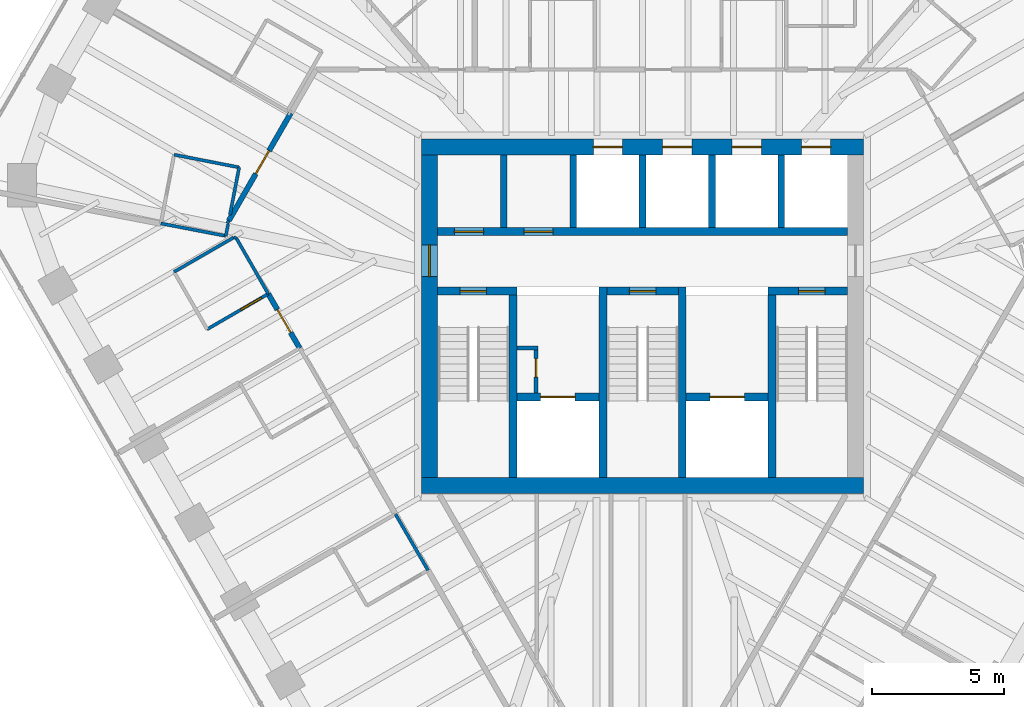
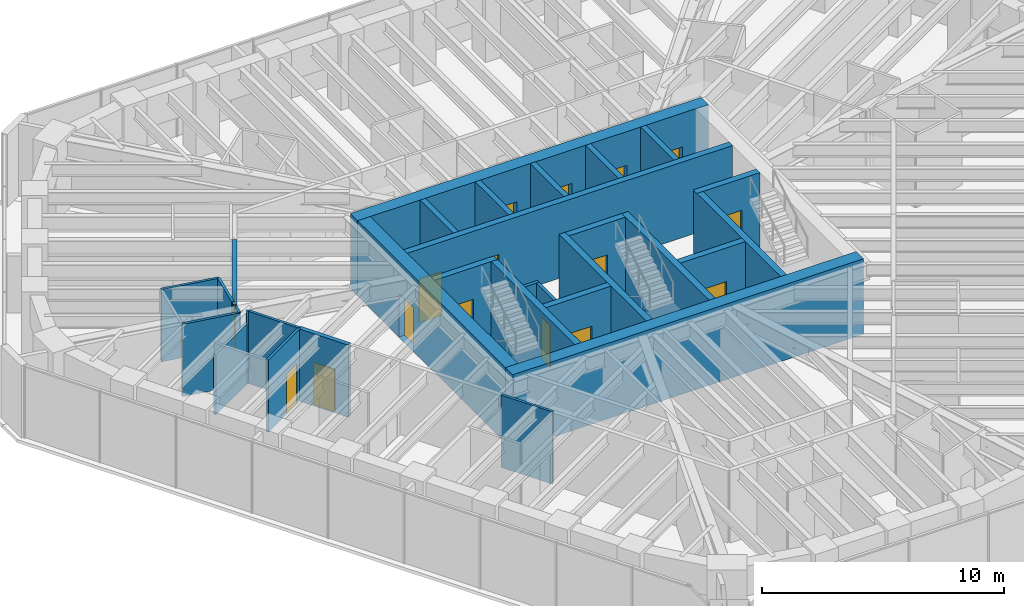
# One storey, part 10 of 14: 32 walls, 16 doors, 16 openings.
"""IFC4 building model written with IfcOpenShell, lengths in metres."""

import ifcopenshell
import ifcopenshell.guid

model = None  # the IFC model being written
_history = None  # IfcOwnerHistory: only IFC2X3 demands one
_inside = {}  # id of a spatial element -> (the spatial element, [elements in it])
_under = {}  # id of a project, library or spatial element -> (it, [spatial elements below it])
_declared = {}  # id of a project -> (the project, [libraries it declares])
_typed = {}  # id of a type object -> (the type object, [elements of that type])
_made_of = {}  # id of a material, layer set ... -> (it, [elements and type objects made of it])


def new_model(schema):
    """Start an empty IFC model of exactly this schema.

    Asked for "IFC4X3", IfcOpenShell would pick the latest addendum, in which some entities
    have other attributes; the version numbers below select the first issue.
    IFC2X3 requires an IfcOwnerHistory on every rooted entity: one is made here for all.
    """
    global model, _history
    if schema == "IFC4X3":
        model = ifcopenshell.file(schema_version=(4, 3, 0, 0))
    else:
        model = ifcopenshell.file(schema=schema)
    _inside.clear()
    _under.clear()
    _declared.clear()
    _typed.clear()
    _made_of.clear()
    _history = None
    if model.schema == "IFC2X3":
        org = make("IfcOrganization", Name="unknown")
        user = make(
            "IfcPersonAndOrganization",
            ThePerson=make("IfcPerson", FamilyName="unknown"),
            TheOrganization=org,
        )
        app = make(
            "IfcApplication",
            ApplicationDeveloper=org,
            Version="unknown",
            ApplicationFullName="unknown",
            ApplicationIdentifier="unknown",
        )
        _history = make(
            "IfcOwnerHistory",
            OwningUser=user,
            OwningApplication=app,
            ChangeAction="ADDED",
            CreationDate=0,
        )
    return model


def make(cls, **values):
    """One entity of the class cls with the attributes given. An attribute that is None is left unset."""
    return model.create_entity(
        cls, **{name: value for name, value in values.items() if value is not None}
    )


def rooted(cls, **values):
    """An entity with a GlobalId (a new one), such as an element, a storey or a relation."""
    return make(cls, GlobalId=ifcopenshell.guid.new(), OwnerHistory=_history, **values)


def si_unit(unit_type, name, prefix=None):
    """IfcSIUnit, for example si_unit("LENGTHUNIT", "METRE", prefix="MILLI")."""
    return make("IfcSIUnit", UnitType=unit_type, Prefix=prefix, Name=name)


def assignment(units):
    """IfcUnitAssignment: the units of a project."""
    return None if units is None else make("IfcUnitAssignment", Units=units)


def point(xyz):
    """IfcCartesianPoint."""
    return None if xyz is None else make("IfcCartesianPoint", Coordinates=xyz)


def direction(xyz):
    """IfcDirection."""
    return None if xyz is None else make("IfcDirection", DirectionRatios=xyz)


def frame(location, z_axis=None, x_axis=None):
    """IfcAxis2Placement3D, a coordinate frame: its origin and axes. An axis left out is left unset."""
    return make(
        "IfcAxis2Placement3D",
        Location=point(location),
        Axis=direction(z_axis),
        RefDirection=direction(x_axis),
    )


def frame_2d(location, x_axis=None):
    """IfcAxis2Placement2D, a coordinate frame in the plane: its origin and x axis."""
    return make(
        "IfcAxis2Placement2D", Location=point(location), RefDirection=direction(x_axis)
    )


def origin():
    """The frame at (0, 0, 0) with its axes left unset."""
    return frame((0.0, 0.0, 0.0))


def place(relative_to, where):
    """IfcLocalPlacement: puts the frame where relative to a parent placement (None: the world)."""
    return make(
        "IfcLocalPlacement", PlacementRelTo=relative_to, RelativePlacement=where
    )


def context(
    kind, dimensions, precision=None, world=None, true_north=None, identifier=None
):
    """IfcGeometricRepresentationContext, for example the 3D "Model" context."""
    return make(
        "IfcGeometricRepresentationContext",
        ContextIdentifier=identifier,
        ContextType=kind,
        CoordinateSpaceDimension=dimensions,
        Precision=precision,
        WorldCoordinateSystem=world,
        TrueNorth=true_north,
    )


def subcontext(parent, identifier, kind, view, scale=None):
    """IfcGeometricRepresentationSubContext, for example "Body" below "Model"."""
    return make(
        "IfcGeometricRepresentationSubContext",
        ContextIdentifier=identifier,
        ContextType=kind,
        ParentContext=parent,
        TargetScale=scale,
        TargetView=view,
    )


def project(units=None, contexts=None):
    """IfcProject with its units and contexts."""
    return rooted(
        "IfcProject",
        Name="project",
        RepresentationContexts=contexts,
        UnitsInContext=assignment(units),
    )


def spatial(cls, under=None, at=None, **own):
    """A site, building, storey or space (cls), placed at a placement, below another one or the project."""
    s = rooted(cls, ObjectPlacement=at, **own)
    if under is not None:
        _under.setdefault(under.id(), (under, []))[1].append(s)
    return s


def profile(cls, at=None, kind="AREA", **sizes):
    """A parametric profile (cls). Its sizes go by their IFC names, for example OverallWidth=200.0."""
    return make(cls, ProfileType=kind, Position=at, **sizes)


def rectangle(**sizes):
    """IfcRectangleProfileDef."""
    return profile("IfcRectangleProfileDef", **sizes)


def extrude(swept, where, along, depth):
    """IfcExtrudedAreaSolid: the profile swept, set in the frame where, extruded along a direction by depth."""
    return make(
        "IfcExtrudedAreaSolid",
        SweptArea=swept,
        Position=where,
        ExtrudedDirection=direction(along),
        Depth=depth,
    )


def shape(context_of_items, identifier, shape_type, items):
    """IfcShapeRepresentation: the items that make up one representation, for example the "Body"."""
    return make(
        "IfcShapeRepresentation",
        ContextOfItems=context_of_items,
        RepresentationIdentifier=identifier,
        RepresentationType=shape_type,
        Items=items,
    )


def material(Name=None, Category=None):
    """IfcMaterial."""
    return make("IfcMaterial", Name=Name, Category=Category)


def layer(
    of_material, thickness, ventilated=None, Name=None, Category=None, Priority=None
):
    """IfcMaterialLayer: one layer of a wall or slab, of a material (None: an air gap)."""
    return make(
        "IfcMaterialLayer",
        Material=of_material,
        LayerThickness=thickness,
        IsVentilated=ventilated,
        Name=Name,
        Category=Category,
        Priority=Priority,
    )


def layer_set(layers, Name=None):
    """IfcMaterialLayerSet."""
    return make("IfcMaterialLayerSet", MaterialLayers=layers, LayerSetName=Name)


def made_of(thing, what):
    """Note that an element or type object is made of a material, layer set ...; save() writes the relation."""
    if what is not None:
        _made_of.setdefault(what.id(), (what, []))[1].append(thing)
    return thing


def type_object(cls, material=None, **own):
    """A type object (cls), such as IfcWallType, which elements share."""
    return made_of(rooted(cls, **own), material)


def element(
    cls,
    number,
    at=None,
    inside=None,
    cuts=None,
    type_object=None,
    material=None,
    context=None,
    identifier="Body",
    shape_type=None,
    held_by="IfcProductDefinitionShape",
    body=None,
    shapes=None,
    **own,
):
    """One element of the class cls, such as IfcWall. Its Tag is "e" and its number.

    at: its placement. inside: the storey or other place that contains it. cuts: it is an
    opening in that element (IfcRelVoidsElement). A single representation is given by context,
    identifier, shape_type and body (its items); several are given by shapes. held_by: the class
    of the entity that holds the representations. save() writes the other relations.
    """
    e = rooted(cls, Tag="e%d" % number, ObjectPlacement=at, **own)
    if body is not None:
        shapes = [shape(context, identifier, shape_type, body)]
    if shapes is not None:
        e.Representation = make(held_by, Representations=shapes)
    if inside is not None:
        _inside.setdefault(inside.id(), (inside, []))[1].append(e)
    if cuts is not None:
        rooted(
            "IfcRelVoidsElement", RelatingBuildingElement=cuts, RelatedOpeningElement=e
        )
    if type_object is not None:
        _typed.setdefault(type_object.id(), (type_object, []))[1].append(e)
    return made_of(e, material)


def fill(opening, filler):
    """IfcRelFillsElement: the door or window that sits in an opening."""
    return rooted(
        "IfcRelFillsElement",
        RelatingOpeningElement=opening,
        RelatedBuildingElement=filler,
    )


def aggregate(whole, parts):
    """IfcRelAggregates: a whole, such as a stair, and the parts it consists of."""
    return rooted("IfcRelAggregates", RelatingObject=whole, RelatedObjects=parts)


def save(model, path):
    """Write the relations noted so far, then the file.

    IfcRelAggregates (storeys below a building ...), IfcRelContainedInSpatialStructure (elements
    in a storey), IfcRelDefinesByType, IfcRelAssociatesMaterial and IfcRelDeclares: one each for
    every whole, place, type object, material and project.
    """
    for whole, parts in _under.values():
        aggregate(whole, parts)
    for where, things in _inside.values():
        rooted(
            "IfcRelContainedInSpatialStructure",
            RelatedElements=things,
            RelatingStructure=where,
        )
    for kind, things in _typed.values():
        rooted("IfcRelDefinesByType", RelatedObjects=things, RelatingType=kind)
    for what, things in _made_of.values():
        rooted("IfcRelAssociatesMaterial", RelatedObjects=things, RelatingMaterial=what)
    for by, libraries in _declared.values():
        rooted("IfcRelDeclares", RelatingContext=by, RelatedDefinitions=libraries)
    model.write(path)


model = new_model("IFC4")

# Units and contexts
model_context = context("Model", 3, precision=1e-05, world=origin(), true_north=direction((0.0, 1.0)))
body_context = subcontext(model_context, "Body", "Model", "MODEL_VIEW")
ifc_project = project(units=[si_unit("LENGTHUNIT", "METRE"), si_unit("AREAUNIT", "SQUARE_METRE"), si_unit("VOLUMEUNIT", "CUBIC_METRE"), si_unit("PLANEANGLEUNIT", "RADIAN"), si_unit("MASSUNIT", "GRAM", prefix="KILO")], contexts=[model_context])

# Site, building, storey
site_placement = place(None, origin())
site = spatial("IfcSite", under=ifc_project, at=site_placement, CompositionType="ELEMENT")
building_placement = place(site_placement, origin())
building = spatial("IfcBuilding", under=site, at=building_placement, Name="Sandreach Pilgrim Tower", CompositionType="ELEMENT")
storey_placement = place(building_placement, frame((0.0, 0.0, 283.60009765625)))
storey = spatial("IfcBuildingStorey", under=building, at=storey_placement, Name="L71", CompositionType="ELEMENT", Elevation=283.60009765625)

# Wall
ifc_material_1 = material(Name="Moisture-resistant gypsum board on steel studs", Category="steel")
ifc_layer_1 = layer(ifc_material_1, 0.1201171875)
ifc_layer_set_1 = layer_set([ifc_layer_1], Name="Bathroom partition 120")
wall_type_1 = type_object("IfcWallType", Name="Bathroom partition 120", PredefinedType="PARTITIONING", material=ifc_layer_set_1)
wall_1_placement = place(storey_placement, frame((-18.2099609375, 3.510009765625, 0.0), z_axis=(0.0, 0.0, 1.0), x_axis=(0.9820935986, -0.188393639991, 0.0)))
element("IfcWall", 1, at=wall_1_placement, inside=storey, type_object=wall_type_1, Name="Bathroom partition L71-004", PredefinedType="PARTITIONING", context=body_context, shape_type="SweptSolid", body=[
    extrude(rectangle(XDim=2.49462890625, YDim=0.1201171875, at=frame_2d((1.247314453125, 0.0))), origin(), (0.0, 0.0, 1.0), 3.639892578125),
])

# Wall, opening, door
wall_2_placement = place(storey_placement, frame((-16.4599609375, -0.489990234375, 0.0), z_axis=(0.0, 0.0, 1.0), x_axis=(0.86498992408, 0.501789229896, 0.0)))
wall_2 = element("IfcWall", 2, at=wall_2_placement, inside=storey, type_object=wall_type_1, Name="Bathroom partition L71-008", PredefinedType="PARTITIONING", context=body_context, shape_type="SweptSolid", body=[
    extrude(rectangle(XDim=2.670654296875, YDim=0.1201171875, at=frame_2d((1.33544921875, 0.0))), origin(), (0.0, 0.0, 1.0), 3.639892578125),
])
opening_1_placement = place(wall_2_placement, frame((1.470458984375, 0.0, 0.0)))
opening_1 = element("IfcOpeningElement", 3, at=opening_1_placement, cuts=wall_2, Name="Opening D09-14B", PredefinedType="OPENING", context=body_context, shape_type="SweptSolid", body=[
    extrude(rectangle(XDim=0.89990234375, YDim=2.030029296875, at=frame_2d((0.449951171875, 1.01513671875))), frame((0.0, 0.06005859375, 0.0), z_axis=(0.0, -1.0, 0.0), x_axis=(1.0, 0.0, 0.0)), (0.0, 0.0, 1.0), 0.1201171875),
])
ifc_material_2 = material(Name="Timber door, steel frame", Category="steel")
door_type_1 = type_object("IfcDoorType", Name="Bathroom door", OperationType="SINGLE_SWING_LEFT", PredefinedType="DOOR", material=ifc_material_2)
door_1_placement = place(opening_1_placement, origin())
door_1 = element("IfcDoor", 4, at=door_1_placement, inside=storey, type_object=door_type_1, Name="Door 7114B", OperationType="SINGLE_SWING_RIGHT", OverallHeight=2.030029296875, OverallWidth=0.89990234375, PredefinedType="DOOR", context=body_context, shape_type="SweptSolid", body=[
    extrude(rectangle(XDim=0.89990234375, YDim=2.030029296875, at=frame_2d((0.449951171875, 1.01513671875))), frame((0.0, 0.02490234375, 0.0), z_axis=(0.0, -1.0, 0.0), x_axis=(1.0, 0.0, 0.0)), (0.0, 0.0, 1.0), 0.050048828125),
])
fill(opening_1, door_1)

# Walls
wall_3_placement = place(storey_placement, frame((-15.701171875, 3.510498046875, 0.0), z_axis=(0.0, 0.0, 1.0), x_axis=(0.498654097425, 0.86680106779, 0.0)))
element("IfcWall", 5, at=wall_3_placement, inside=storey, type_object=wall_type_1, Name="Bathroom partition L71-010", PredefinedType="PARTITIONING", context=body_context, shape_type="SweptSolid", body=[
    extrude(rectangle(XDim=0.125244140625, YDim=0.1201171875, at=frame_2d((0.0625, 0.0))), origin(), (0.0, 0.0, 1.0), 3.639892578125),
])
wall_4_placement = place(storey_placement, frame((-15.66845703125, 3.48583984375, 0.0), z_axis=(0.0, 0.0, 1.0), x_axis=(-0.18920021221, -0.981938531528, 0.0)))
element("IfcWall", 6, at=wall_4_placement, inside=storey, type_object=wall_type_1, Name="Bathroom partition L71-011", PredefinedType="PARTITIONING", context=body_context, shape_type="SweptSolid", body=[
    extrude(rectangle(XDim=0.4619140625, YDim=0.1201171875, at=frame_2d((0.23095703125, 0.0))), origin(), (0.0, 0.0, 1.0), 3.639892578125),
])
wall_5_placement = place(storey_placement, frame((-15.59912109375, 3.8310546875, 0.0), z_axis=(0.0, 0.0, 1.0), x_axis=(0.190502378828, 0.981686733974, 0.0)))
element("IfcWall", 7, at=wall_5_placement, inside=storey, type_object=wall_type_1, Name="Bathroom partition L71-013", PredefinedType="PARTITIONING", context=body_context, shape_type="SweptSolid", body=[
    extrude(rectangle(XDim=1.83251953125, YDim=0.1201171875, at=frame_2d((0.916259765625, 0.0))), origin(), (0.0, 0.0, 1.0), 3.639892578125),
])
wall_6_placement = place(storey_placement, frame((-15.4599609375, 2.97998046875, 0.0), z_axis=(0.0, 0.0, 1.0), x_axis=(-0.865856933682, -0.500291685314, 0.0)))
element("IfcWall", 8, at=wall_6_placement, inside=storey, type_object=wall_type_1, Name="Bathroom partition L71-015", PredefinedType="PARTITIONING", context=body_context, shape_type="SweptSolid", body=[
    extrude(rectangle(XDim=2.5986328125, YDim=0.1201171875, at=frame_2d((1.29931640625, 0.0))), origin(), (0.0, 0.0, 1.0), 3.037841796875),
])
wall_7_placement = place(storey_placement, frame((-15.4599609375, 2.97998046875, 0.0), z_axis=(0.0, 0.0, 1.0), x_axis=(0.980580675691, -0.196116135138, 0.0)))
element("IfcWall", 9, at=wall_7_placement, inside=storey, type_object=wall_type_1, Name="Bathroom partition L71-016", PredefinedType="PARTITIONING", context=body_context, shape_type="SweptSolid", body=[
    extrude(rectangle(XDim=0.10205078125, YDim=0.1201171875, at=frame_2d((0.051025390625, 0.0))), origin(), (0.0, 0.0, 1.0), 3.639892578125),
])
wall_8_placement = place(storey_placement, frame((-15.360107421875, 2.9599609375, 0.0), z_axis=(0.0, 0.0, 1.0), x_axis=(0.497511007376, -0.867457663255, 0.0)))
element("IfcWall", 10, at=wall_8_placement, inside=storey, type_object=wall_type_1, Name="Bathroom partition L71-017", PredefinedType="PARTITIONING", context=body_context, shape_type="SweptSolid", body=[
    extrude(rectangle(XDim=2.4326171875, YDim=0.1201171875, at=frame_2d((1.21630859375, 0.0))), origin(), (0.0, 0.0, 1.0), 3.639892578125),
])
wall_9_placement = place(storey_placement, frame((-15.25, 5.6298828125, 0.0), z_axis=(0.0, 0.0, 1.0), x_axis=(-0.981473171926, 0.191599615838, 0.0)))
element("IfcWall", 11, at=wall_9_placement, inside=storey, type_object=wall_type_1, Name="Bathroom partition L71-018", PredefinedType="PARTITIONING", context=body_context, shape_type="SweptSolid", body=[
    extrude(rectangle(XDim=2.50634765625, YDim=0.1201171875, at=frame_2d((1.253173828125, 0.0))), origin(), (0.0, 0.0, 1.0), 3.639892578125),
])
wall_10_placement = place(storey_placement, frame((-9.340087890625, -7.47998046875, 0.0), z_axis=(0.0, 0.0, 1.0), x_axis=(0.501813488763, -0.864975850817, 0.0)))
element("IfcWall", 12, at=wall_10_placement, inside=storey, type_object=wall_type_1, Name="Bathroom partition L71-036", PredefinedType="PARTITIONING", context=body_context, shape_type="SweptSolid", body=[
    extrude(rectangle(XDim=2.451171875, YDim=0.1201171875, at=frame_2d((1.2255859375, 0.0))), origin(), (0.0, 0.0, 1.0), 3.639892578125),
])
ifc_material_3 = material(Name="Concrete 10000 psi", Category="concrete")
ifc_layer_2 = layer(ifc_material_3, 0.300048828125)
ifc_layer_set_2 = layer_set([ifc_layer_2], Name="Core inner wall 300")
wall_type_2 = type_object("IfcWallType", Name="Core inner wall 300", PredefinedType="SHEAR", material=ifc_layer_set_2)
for number, where, z_axis, x_axis, name in (
    (13, (-4.89990234375, -6.10009765625, 0.0), (0.0, 0.0, 1.0), (0.0, 1.0, 0.0), "Core wall I0 L71"),
    (14, (-1.5, -6.10009765625, 0.0), (0.0, 0.0, 1.0), (0.0, 1.0, 0.0), "Core wall I1 L71"),
    (15, (1.5, -6.10009765625, 0.0), (0.0, 0.0, 1.0), (0.0, 1.0, 0.0), "Core wall I2 L71"),
    (16, (4.89990234375, -6.10009765625, 0.0), (0.0, 0.0, 1.0), (0.0, 1.0, 0.0), "Core wall I3 L71"),
):
    element("IfcWall", number, at=place(storey_placement, frame(where, z_axis=z_axis, x_axis=x_axis)), inside=storey, type_object=wall_type_2, Name=name, PredefinedType="SHEAR", context=body_context, shape_type="SweptSolid", body=[
        extrude(rectangle(XDim=7.2001953125, YDim=0.300048828125, at=frame_2d((3.60009765625, 0.0))), origin(), (0.0, 0.0, 1.0), 3.7998046875),
    ])

# Wall, opening, door
wall_11_placement = place(storey_placement, frame((-7.75, 0.949951171875, 0.0), z_axis=(0.0, 0.0, 1.0), x_axis=(1.0, 0.0, 0.0)))
wall_11 = element("IfcWall", 17, at=wall_11_placement, inside=storey, type_object=wall_type_2, Name="Core wall SN1 L71", PredefinedType="SHEAR", context=body_context, shape_type="SweptSolid", body=[
    extrude(rectangle(XDim=3.0, YDim=0.300048828125, at=frame_2d((1.5, 0.0))), origin(), (0.0, 0.0, 1.0), 3.7998046875),
])
opening_2_placement = place(wall_11_placement, frame((0.85009765625, 0.0, 0.0)))
opening_2 = element("IfcOpeningElement", 18, at=opening_2_placement, cuts=wall_11, Name="Opening D10S-ST1", PredefinedType="OPENING", context=body_context, shape_type="SweptSolid", body=[
    extrude(rectangle(XDim=1.0, YDim=2.199951171875, at=frame_2d((0.5, 1.10009765625))), frame((0.0, 0.14990234375, 0.0), z_axis=(0.0, -1.0, 0.0), x_axis=(1.0, 0.0, 0.0)), (0.0, 0.0, 1.0), 0.300048828125),
])
ifc_material_4 = material(Name="Steel door and frame", Category="steel")
door_type_2 = type_object("IfcDoorType", Name="Stair door", OperationType="SINGLE_SWING_LEFT", PredefinedType="DOOR", material=ifc_material_4)
door_2_placement = place(opening_2_placement, origin())
door_2 = element("IfcDoor", 19, at=door_2_placement, inside=storey, type_object=door_type_2, Name="Stair door ST1 L71", OperationType="SINGLE_SWING_LEFT", OverallHeight=2.199951171875, OverallWidth=1.0, PredefinedType="DOOR", context=body_context, shape_type="SweptSolid", body=[
    extrude(rectangle(XDim=1.0, YDim=2.199951171875, at=frame_2d((0.5, 1.10009765625))), frame((0.0, 0.02490234375, 0.0), z_axis=(0.0, -1.0, 0.0), x_axis=(1.0, 0.0, 0.0)), (0.0, 0.0, 1.0), 0.050048828125),
])
fill(opening_2, door_2)

wall_12_placement = place(storey_placement, frame((-1.35009765625, 0.949951171875, 0.0), z_axis=(0.0, 0.0, 1.0), x_axis=(1.0, 0.0, 0.0)))
wall_12 = element("IfcWall", 20, at=wall_12_placement, inside=storey, type_object=wall_type_2, Name="Core wall SN3 L71", PredefinedType="SHEAR", context=body_context, shape_type="SweptSolid", body=[
    extrude(rectangle(XDim=2.7001953125, YDim=0.300048828125, at=frame_2d((1.35009765625, 0.0))), origin(), (0.0, 0.0, 1.0), 3.7998046875),
])
opening_3_placement = place(wall_12_placement, frame((0.85009765625, 0.0, 0.0)))
opening_3 = element("IfcOpeningElement", 21, at=opening_3_placement, cuts=wall_12, Name="Opening D10S-ST3", PredefinedType="OPENING", context=body_context, shape_type="SweptSolid", body=[
    extrude(rectangle(XDim=1.0, YDim=2.199951171875, at=frame_2d((0.5, 1.10009765625))), frame((0.0, 0.14990234375, 0.0), z_axis=(0.0, -1.0, 0.0), x_axis=(1.0, 0.0, 0.0)), (0.0, 0.0, 1.0), 0.300048828125),
])
door_3_placement = place(opening_3_placement, origin())
door_3 = element("IfcDoor", 22, at=door_3_placement, inside=storey, type_object=door_type_2, Name="Stair door ST3 L71", OperationType="SINGLE_SWING_LEFT", OverallHeight=2.199951171875, OverallWidth=1.0, PredefinedType="DOOR", context=body_context, shape_type="SweptSolid", body=[
    extrude(rectangle(XDim=1.0, YDim=2.199951171875, at=frame_2d((0.5, 1.10009765625))), frame((0.0, 0.02490234375, 0.0), z_axis=(0.0, -1.0, 0.0), x_axis=(1.0, 0.0, 0.0)), (0.0, 0.0, 1.0), 0.050048828125),
])
fill(opening_3, door_3)

wall_13_placement = place(storey_placement, frame((4.75, 0.949951171875, 0.0), z_axis=(0.0, 0.0, 1.0), x_axis=(1.0, 0.0, 0.0)))
wall_13 = element("IfcWall", 23, at=wall_13_placement, inside=storey, type_object=wall_type_2, Name="Core wall SN2 L71", PredefinedType="SHEAR", context=body_context, shape_type="SweptSolid", body=[
    extrude(rectangle(XDim=3.0, YDim=0.300048828125, at=frame_2d((1.5, 0.0))), origin(), (0.0, 0.0, 1.0), 3.7998046875),
])
opening_4_placement = place(wall_13_placement, frame((1.14990234375, 0.0, 0.0)))
opening_4 = element("IfcOpeningElement", 24, at=opening_4_placement, cuts=wall_13, Name="Opening D10S-ST2", PredefinedType="OPENING", context=body_context, shape_type="SweptSolid", body=[
    extrude(rectangle(XDim=1.0, YDim=2.199951171875, at=frame_2d((0.5, 1.10009765625))), frame((0.0, 0.14990234375, 0.0), z_axis=(0.0, -1.0, 0.0), x_axis=(1.0, 0.0, 0.0)), (0.0, 0.0, 1.0), 0.300048828125),
])
door_4_placement = place(opening_4_placement, origin())
door_4 = element("IfcDoor", 25, at=door_4_placement, inside=storey, type_object=door_type_2, Name="Stair door ST2 L71", OperationType="SINGLE_SWING_RIGHT", OverallHeight=2.199951171875, OverallWidth=1.0, PredefinedType="DOOR", context=body_context, shape_type="SweptSolid", body=[
    extrude(rectangle(XDim=1.0, YDim=2.199951171875, at=frame_2d((0.5, 1.10009765625))), frame((0.0, 0.02490234375, 0.0), z_axis=(0.0, -1.0, 0.0), x_axis=(1.0, 0.0, 0.0)), (0.0, 0.0, 1.0), 0.050048828125),
])
fill(opening_4, door_4)

wall_14_placement = place(storey_placement, frame((-4.75, -3.050048828125, 0.0), z_axis=(0.0, 0.0, 1.0), x_axis=(1.0, 0.0, 0.0)))
wall_14 = element("IfcWall", 26, at=wall_14_placement, inside=storey, type_object=wall_type_2, Name="Core wall FL1 L71", PredefinedType="SHEAR", context=body_context, shape_type="SweptSolid", body=[
    extrude(rectangle(XDim=3.10009765625, YDim=0.300048828125, at=frame_2d((1.550048828125, 0.0))), origin(), (0.0, 0.0, 1.0), 3.7998046875),
])
opening_5_placement = place(wall_14_placement, frame((0.89990234375, 0.0, 0.0)))
opening_5 = element("IfcOpeningElement", 27, at=opening_5_placement, cuts=wall_14, Name="Opening LD13", PredefinedType="OPENING", context=body_context, shape_type="SweptSolid", body=[
    extrude(rectangle(XDim=1.300048828125, YDim=2.10009765625, at=frame_2d((0.64990234375, 1.050048828125))), frame((0.0, 0.14990234375, 0.0), z_axis=(0.0, -1.0, 0.0), x_axis=(1.0, 0.0, 0.0)), (0.0, 0.0, 1.0), 0.300048828125),
])
ifc_material_5 = material(Name="Steel door and frame", Category="steel")
door_type_3 = type_object("IfcDoorType", Name="Fire service lift landing door", OperationType="DOUBLE_DOOR_SLIDING", PredefinedType="DOOR", material=ifc_material_5)
door_5_placement = place(opening_5_placement, origin())
door_5 = element("IfcDoor", 28, at=door_5_placement, inside=storey, type_object=door_type_3, Name="Lift landing door FS1 L71", OperationType="DOUBLE_DOOR_SLIDING", OverallHeight=2.10009765625, OverallWidth=1.300048828125, PredefinedType="DOOR", context=body_context, shape_type="SweptSolid", body=[
    extrude(rectangle(XDim=1.300048828125, YDim=2.10009765625, at=frame_2d((0.64990234375, 1.050048828125))), frame((0.0, 0.02490234375, 0.0), z_axis=(0.0, -1.0, 0.0), x_axis=(1.0, 0.0, 0.0)), (0.0, 0.0, 1.0), 0.050048828125),
])
fill(opening_5, door_5)

wall_15_placement = place(storey_placement, frame((1.64990234375, -3.050048828125, 0.0), z_axis=(0.0, 0.0, 1.0), x_axis=(1.0, 0.0, 0.0)))
wall_15 = element("IfcWall", 29, at=wall_15_placement, inside=storey, type_object=wall_type_2, Name="Core wall FL2 L71", PredefinedType="SHEAR", context=body_context, shape_type="SweptSolid", body=[
    extrude(rectangle(XDim=3.10009765625, YDim=0.300048828125, at=frame_2d((1.550048828125, 0.0))), origin(), (0.0, 0.0, 1.0), 3.7998046875),
])
opening_6_placement = place(wall_15_placement, frame((0.89990234375, 0.0, 0.0)))
opening_6 = element("IfcOpeningElement", 30, at=opening_6_placement, cuts=wall_15, Name="Opening LD13", PredefinedType="OPENING", context=body_context, shape_type="SweptSolid", body=[
    extrude(rectangle(XDim=1.300048828125, YDim=2.10009765625, at=frame_2d((0.64990234375, 1.050048828125))), frame((0.0, 0.14990234375, 0.0), z_axis=(0.0, -1.0, 0.0), x_axis=(1.0, 0.0, 0.0)), (0.0, 0.0, 1.0), 0.300048828125),
])
door_6_placement = place(opening_6_placement, origin())
door_6 = element("IfcDoor", 31, at=door_6_placement, inside=storey, type_object=door_type_3, Name="Lift landing door FS2 L71", OperationType="DOUBLE_DOOR_SLIDING", OverallHeight=2.10009765625, OverallWidth=1.300048828125, PredefinedType="DOOR", context=body_context, shape_type="SweptSolid", body=[
    extrude(rectangle(XDim=1.300048828125, YDim=2.10009765625, at=frame_2d((0.64990234375, 1.050048828125))), frame((0.0, 0.02490234375, 0.0), z_axis=(0.0, -1.0, 0.0), x_axis=(1.0, 0.0, 0.0)), (0.0, 0.0, 1.0), 0.050048828125),
])
fill(opening_6, door_6)

# Wall, openings, doors
wall_16_placement = place(storey_placement, frame((-7.75, 3.199951171875, 0.0), z_axis=(0.0, 0.0, 1.0), x_axis=(1.0, 0.0, 0.0)))
wall_16 = element("IfcWall", 32, at=wall_16_placement, inside=storey, type_object=wall_type_2, Name="Core wall PN L71", PredefinedType="SHEAR", context=body_context, shape_type="SweptSolid", body=[
    extrude(rectangle(XDim=15.5, YDim=0.300048828125, at=frame_2d((7.75, 0.0))), origin(), (0.0, 0.0, 1.0), 3.7998046875),
])
opening_7_placement = place(wall_16_placement, frame((0.637451171875, 0.0, 0.0)))
opening_7 = element("IfcOpeningElement", 33, at=opening_7_placement, cuts=wall_16, Name="Opening D11L", PredefinedType="OPENING", context=body_context, shape_type="SweptSolid", body=[
    extrude(rectangle(XDim=1.10009765625, YDim=2.199951171875, at=frame_2d((0.550048828125, 1.10009765625))), frame((0.0, 0.14990234375, 0.0), z_axis=(0.0, -1.0, 0.0), x_axis=(1.0, 0.0, 0.0)), (0.0, 0.0, 1.0), 0.300048828125),
])
opening_8_placement = place(wall_16_placement, frame((3.262451171875, 0.0, 0.0)))
opening_8 = element("IfcOpeningElement", 34, at=opening_8_placement, cuts=wall_16, Name="Opening D11L", PredefinedType="OPENING", context=body_context, shape_type="SweptSolid", body=[
    extrude(rectangle(XDim=1.10009765625, YDim=2.199951171875, at=frame_2d((0.550048828125, 1.10009765625))), frame((0.0, 0.14990234375, 0.0), z_axis=(0.0, -1.0, 0.0), x_axis=(1.0, 0.0, 0.0)), (0.0, 0.0, 1.0), 0.300048828125),
])
ifc_material_6 = material(Name="Steel door and frame, smoke seals", Category="steel")
door_type_4 = type_object("IfcDoorType", Name="Core room door", OperationType="SINGLE_SWING_LEFT", PredefinedType="DOOR", material=ifc_material_6)
door_7_placement = place(opening_7_placement, origin())
door_7 = element("IfcDoor", 35, at=door_7_placement, inside=storey, type_object=door_type_4, Name="Door butler pantry 71K1", OperationType="SINGLE_SWING_LEFT", OverallHeight=2.199951171875, OverallWidth=1.10009765625, PredefinedType="DOOR", context=body_context, shape_type="SweptSolid", body=[
    extrude(rectangle(XDim=1.10009765625, YDim=2.199951171875, at=frame_2d((0.550048828125, 1.10009765625))), frame((0.0, 0.02490234375, 0.0), z_axis=(0.0, -1.0, 0.0), x_axis=(1.0, 0.0, 0.0)), (0.0, 0.0, 1.0), 0.050048828125),
])
fill(opening_7, door_7)
door_8_placement = place(opening_8_placement, origin())
door_8 = element("IfcDoor", 36, at=door_8_placement, inside=storey, type_object=door_type_4, Name="Door storage room 71K2", OperationType="SINGLE_SWING_LEFT", OverallHeight=2.199951171875, OverallWidth=1.10009765625, PredefinedType="DOOR", context=body_context, shape_type="SweptSolid", body=[
    extrude(rectangle(XDim=1.10009765625, YDim=2.199951171875, at=frame_2d((0.550048828125, 1.10009765625))), frame((0.0, 0.02490234375, 0.0), z_axis=(0.0, -1.0, 0.0), x_axis=(1.0, 0.0, 0.0)), (0.0, 0.0, 1.0), 0.050048828125),
])
fill(opening_8, door_8)

ifc_material_7 = material(Name="Concrete 10000 psi", Category="concrete")
ifc_layer_3 = layer(ifc_material_7, 0.60009765625)
ifc_layer_set_3 = layer_set([ifc_layer_3], Name="Core wall 600")
wall_type_3 = type_object("IfcWallType", Name="Core wall 600", PredefinedType="SHEAR", material=ifc_layer_set_3)
wall_17_placement = place(storey_placement, frame((-8.35009765625, 6.39990234375, 0.0), z_axis=(0.0, 0.0, 1.0), x_axis=(1.0, 0.0, 0.0)))
wall_17 = element("IfcWall", 37, at=wall_17_placement, inside=storey, type_object=wall_type_3, Name="Core wall N L71", PredefinedType="SHEAR", context=body_context, shape_type="SweptSolid", body=[
    extrude(rectangle(XDim=16.7001953125, YDim=0.60009765625, at=frame_2d((8.35009765625, 0.0))), origin(), (0.0, 0.0, 1.0), 3.7998046875),
])
opening_9_placement = place(wall_17_placement, frame((6.487548828125, 0.0, 0.0)))
opening_9 = element("IfcOpeningElement", 38, at=opening_9_placement, cuts=wall_17, Name="Opening LD11", PredefinedType="OPENING", context=body_context, shape_type="SweptSolid", body=[
    extrude(rectangle(XDim=1.10009765625, YDim=2.10009765625, at=frame_2d((0.550048828125, 1.050048828125))), frame((0.0, 0.300048828125, 0.0), z_axis=(0.0, -1.0, 0.0), x_axis=(1.0, 0.0, 0.0)), (0.0, 0.0, 1.0), 0.60009765625),
])
opening_10_placement = place(wall_17_placement, frame((9.112548828125, 0.0, 0.0)))
opening_10 = element("IfcOpeningElement", 39, at=opening_10_placement, cuts=wall_17, Name="Opening LD11", PredefinedType="OPENING", context=body_context, shape_type="SweptSolid", body=[
    extrude(rectangle(XDim=1.10009765625, YDim=2.10009765625, at=frame_2d((0.550048828125, 1.050048828125))), frame((0.0, 0.300048828125, 0.0), z_axis=(0.0, -1.0, 0.0), x_axis=(1.0, 0.0, 0.0)), (0.0, 0.0, 1.0), 0.60009765625),
])
opening_11_placement = place(wall_17_placement, frame((11.737548828125, 0.0, 0.0)))
opening_11 = element("IfcOpeningElement", 40, at=opening_11_placement, cuts=wall_17, Name="Opening LD11", PredefinedType="OPENING", context=body_context, shape_type="SweptSolid", body=[
    extrude(rectangle(XDim=1.10009765625, YDim=2.10009765625, at=frame_2d((0.550048828125, 1.050048828125))), frame((0.0, 0.300048828125, 0.0), z_axis=(0.0, -1.0, 0.0), x_axis=(1.0, 0.0, 0.0)), (0.0, 0.0, 1.0), 0.60009765625),
])
opening_12_placement = place(wall_17_placement, frame((14.362548828125, 0.0, 0.0)))
opening_12 = element("IfcOpeningElement", 41, at=opening_12_placement, cuts=wall_17, Name="Opening LD11", PredefinedType="OPENING", context=body_context, shape_type="SweptSolid", body=[
    extrude(rectangle(XDim=1.10009765625, YDim=2.10009765625, at=frame_2d((0.550048828125, 1.050048828125))), frame((0.0, 0.300048828125, 0.0), z_axis=(0.0, -1.0, 0.0), x_axis=(1.0, 0.0, 0.0)), (0.0, 0.0, 1.0), 0.60009765625),
])
ifc_material_8 = material(Name="Steel door and frame", Category="steel")
door_type_5 = type_object("IfcDoorType", Name="Lift landing door", OperationType="DOUBLE_DOOR_SLIDING", PredefinedType="DOOR", material=ifc_material_8)
door_9_placement = place(opening_9_placement, origin())
door_9 = element("IfcDoor", 42, at=door_9_placement, inside=storey, type_object=door_type_5, Name="Lift landing door Z3A L71", OperationType="DOUBLE_DOOR_SLIDING", OverallHeight=2.10009765625, OverallWidth=1.10009765625, PredefinedType="DOOR", context=body_context, shape_type="SweptSolid", body=[
    extrude(rectangle(XDim=1.10009765625, YDim=2.10009765625, at=frame_2d((0.550048828125, 1.050048828125))), frame((0.0, 0.02490234375, 0.0), z_axis=(0.0, -1.0, 0.0), x_axis=(1.0, 0.0, 0.0)), (0.0, 0.0, 1.0), 0.050048828125),
])
fill(opening_9, door_9)
door_10_placement = place(opening_10_placement, origin())
door_10 = element("IfcDoor", 43, at=door_10_placement, inside=storey, type_object=door_type_5, Name="Lift landing door Z3B L71", OperationType="DOUBLE_DOOR_SLIDING", OverallHeight=2.10009765625, OverallWidth=1.10009765625, PredefinedType="DOOR", context=body_context, shape_type="SweptSolid", body=[
    extrude(rectangle(XDim=1.10009765625, YDim=2.10009765625, at=frame_2d((0.550048828125, 1.050048828125))), frame((0.0, 0.02490234375, 0.0), z_axis=(0.0, -1.0, 0.0), x_axis=(1.0, 0.0, 0.0)), (0.0, 0.0, 1.0), 0.050048828125),
])
fill(opening_10, door_10)
door_11_placement = place(opening_11_placement, origin())
door_11 = element("IfcDoor", 44, at=door_11_placement, inside=storey, type_object=door_type_5, Name="Lift landing door Z3C L71", OperationType="DOUBLE_DOOR_SLIDING", OverallHeight=2.10009765625, OverallWidth=1.10009765625, PredefinedType="DOOR", context=body_context, shape_type="SweptSolid", body=[
    extrude(rectangle(XDim=1.10009765625, YDim=2.10009765625, at=frame_2d((0.550048828125, 1.050048828125))), frame((0.0, 0.02490234375, 0.0), z_axis=(0.0, -1.0, 0.0), x_axis=(1.0, 0.0, 0.0)), (0.0, 0.0, 1.0), 0.050048828125),
])
fill(opening_11, door_11)
door_12_placement = place(opening_12_placement, origin())
door_12 = element("IfcDoor", 45, at=door_12_placement, inside=storey, type_object=door_type_5, Name="Lift landing door Z3D L71", OperationType="DOUBLE_DOOR_SLIDING", OverallHeight=2.10009765625, OverallWidth=1.10009765625, PredefinedType="DOOR", context=body_context, shape_type="SweptSolid", body=[
    extrude(rectangle(XDim=1.10009765625, YDim=2.10009765625, at=frame_2d((0.550048828125, 1.050048828125))), frame((0.0, 0.02490234375, 0.0), z_axis=(0.0, -1.0, 0.0), x_axis=(1.0, 0.0, 0.0)), (0.0, 0.0, 1.0), 0.050048828125),
])
fill(opening_12, door_12)

# Wall
wall_18_placement = place(storey_placement, frame((-8.35009765625, -6.39990234375, 0.0), z_axis=(0.0, 0.0, 1.0), x_axis=(1.0, 0.0, 0.0)))
element("IfcWall", 46, at=wall_18_placement, inside=storey, type_object=wall_type_3, Name="Core wall S L71", PredefinedType="SHEAR", context=body_context, shape_type="SweptSolid", body=[
    extrude(rectangle(XDim=16.7001953125, YDim=0.60009765625, at=frame_2d((8.35009765625, 0.0))), origin(), (0.0, 0.0, 1.0), 3.7998046875),
])

# Wall, opening, door
wall_19_placement = place(storey_placement, frame((-8.050048828125, -6.10009765625, 0.0), z_axis=(0.0, 0.0, 1.0), x_axis=(0.0, 1.0, 0.0)))
wall_19 = element("IfcWall", 47, at=wall_19_placement, inside=storey, type_object=wall_type_3, Name="Core wall W L71", PredefinedType="SHEAR", context=body_context, shape_type="SweptSolid", body=[
    extrude(rectangle(XDim=12.2001953125, YDim=0.60009765625, at=frame_2d((6.10009765625, 0.0))), origin(), (0.0, 0.0, 1.0), 3.7998046875),
])
opening_13_placement = place(wall_19_placement, frame((7.60009765625, 0.0, 0.0)))
opening_13 = element("IfcOpeningElement", 48, at=opening_13_placement, cuts=wall_19, Name="Opening D12F-W", PredefinedType="OPENING", context=body_context, shape_type="SweptSolid", body=[
    extrude(rectangle(XDim=1.199951171875, YDim=2.199951171875, at=frame_2d((0.60009765625, 1.10009765625))), frame((0.0, 0.300048828125, 0.0), z_axis=(0.0, -1.0, 0.0), x_axis=(1.0, 0.0, 0.0)), (0.0, 0.0, 1.0), 0.60009765625),
])
ifc_material_9 = material(Name="Steel door and frame", Category="steel")
door_type_6 = type_object("IfcDoorType", Name="Fire lobby door", OperationType="SINGLE_SWING_LEFT", PredefinedType="DOOR", material=ifc_material_9)
door_13_placement = place(opening_13_placement, origin())
door_13 = element("IfcDoor", 49, at=door_13_placement, inside=storey, type_object=door_type_6, Name="Fire service lobby door W L71", OperationType="SINGLE_SWING_RIGHT", OverallHeight=2.199951171875, OverallWidth=1.199951171875, PredefinedType="DOOR", context=body_context, shape_type="SweptSolid", body=[
    extrude(rectangle(XDim=1.199951171875, YDim=2.199951171875, at=frame_2d((0.60009765625, 1.10009765625))), frame((0.0, 0.02490234375, 0.0), z_axis=(0.0, -1.0, 0.0), x_axis=(1.0, 0.0, 0.0)), (0.0, 0.0, 1.0), 0.050048828125),
])
fill(opening_13, door_13)

ifc_material_10 = material(Name="Gypsum board on steel studs, two layers each side", Category="steel")
ifc_layer_4 = layer(ifc_material_10, 0.199951171875)
ifc_layer_set_4 = layer_set([ifc_layer_4], Name="Corridor wall 200")
wall_type_4 = type_object("IfcWallType", Name="Corridor wall 200", PredefinedType="PARTITIONING", material=ifc_layer_set_4)
wall_20_placement = place(storey_placement, frame((-15.64013671875, 3.619873046875, 0.0), z_axis=(0.0, 0.0, 1.0), x_axis=(0.499361596599, 0.866393672555, 0.0)))
wall_20 = element("IfcWall", 50, at=wall_20_placement, inside=storey, type_object=wall_type_4, Name="Corridor wall L71-012", PredefinedType="PARTITIONING", context=body_context, shape_type="SweptSolid", body=[
    extrude(rectangle(XDim=4.686279296875, YDim=0.199951171875, at=frame_2d((2.34326171875, 0.0))), origin(), (0.0, 0.0, 1.0), 3.639892578125),
])
opening_14_placement = place(wall_20_placement, frame((2.04296875, 0.0, 0.0)))
opening_14 = element("IfcOpeningElement", 51, at=opening_14_placement, cuts=wall_20, Name="Opening D10-15", PredefinedType="OPENING", context=body_context, shape_type="SweptSolid", body=[
    extrude(rectangle(XDim=1.0, YDim=2.1298828125, at=frame_2d((0.5, 1.06494140625))), frame((0.0, 0.10009765625, 0.0), z_axis=(0.0, -1.0, 0.0), x_axis=(1.0, 0.0, 0.0)), (0.0, 0.0, 1.0), 0.199951171875),
])
ifc_material_11 = material(Name="Steel door and frame", Category="steel")
door_type_7 = type_object("IfcDoorType", Name="Guest room entry door", OperationType="SINGLE_SWING_LEFT", PredefinedType="DOOR", material=ifc_material_11)
door_14_placement = place(opening_14_placement, origin())
door_14 = element("IfcDoor", 52, at=door_14_placement, inside=storey, type_object=door_type_7, Name="Door 7115", OperationType="SINGLE_SWING_RIGHT", OverallHeight=2.1298828125, OverallWidth=1.0, PredefinedType="DOOR", context=body_context, shape_type="SweptSolid", body=[
    extrude(rectangle(XDim=1.0, YDim=2.1298828125, at=frame_2d((0.5, 1.06494140625))), frame((0.0, 0.02490234375, 0.0), z_axis=(0.0, -1.0, 0.0), x_axis=(1.0, 0.0, 0.0)), (0.0, 0.0, 1.0), 0.050048828125),
])
fill(opening_14, door_14)

wall_21_placement = place(storey_placement, frame((-14.14990234375, 0.85009765625, 0.0), z_axis=(0.0, 0.0, 1.0), x_axis=(0.500178430292, -0.865922362496, 0.0)))
wall_21 = element("IfcWall", 53, at=wall_21_placement, inside=storey, type_object=wall_type_4, Name="Corridor wall L71-022", PredefinedType="PARTITIONING", context=body_context, shape_type="SweptSolid", body=[
    extrude(rectangle(XDim=2.379150390625, YDim=0.199951171875, at=frame_2d((1.189453125, 0.0))), origin(), (0.0, 0.0, 1.0), 3.639892578125),
])
opening_15_placement = place(wall_21_placement, frame((0.689453125, 0.0, 0.0)))
opening_15 = element("IfcOpeningElement", 54, at=opening_15_placement, cuts=wall_21, Name="Opening D10-14", PredefinedType="OPENING", context=body_context, shape_type="SweptSolid", body=[
    extrude(rectangle(XDim=1.0, YDim=2.1298828125, at=frame_2d((0.5, 1.06494140625))), frame((0.0, 0.10009765625, 0.0), z_axis=(0.0, -1.0, 0.0), x_axis=(1.0, 0.0, 0.0)), (0.0, 0.0, 1.0), 0.199951171875),
])
door_15_placement = place(opening_15_placement, origin())
door_15 = element("IfcDoor", 55, at=door_15_placement, inside=storey, type_object=door_type_7, Name="Door 7114", OperationType="SINGLE_SWING_LEFT", OverallHeight=2.1298828125, OverallWidth=1.0, PredefinedType="DOOR", context=body_context, shape_type="SweptSolid", body=[
    extrude(rectangle(XDim=1.0, YDim=2.1298828125, at=frame_2d((0.5, 1.06494140625))), frame((0.0, 0.02490234375, 0.0), z_axis=(0.0, -1.0, 0.0), x_axis=(1.0, 0.0, 0.0)), (0.0, 0.0, 1.0), 0.050048828125),
])
fill(opening_15, door_15)

ifc_material_12 = material(Name="Gypsum shaft wall on steel studs, shaft liner board", Category="steel")
ifc_layer_5 = layer(ifc_material_12, 0.14990234375)
ifc_layer_set_5 = layer_set([ifc_layer_5], Name="Riser shaft wall 150")
wall_type_5 = type_object("IfcWallType", Name="Riser shaft wall 150", PredefinedType="PARTITIONING", material=ifc_layer_set_5)
wall_22_placement = place(storey_placement, frame((-4.02490234375, -2.89990234375, 0.0), z_axis=(0.0, 0.0, 1.0), x_axis=(0.0, 1.0, 0.0)))
wall_22 = element("IfcWall", 56, at=wall_22_placement, inside=storey, type_object=wall_type_5, Name="Riser partition L71 side", PredefinedType="PARTITIONING", context=body_context, shape_type="SweptSolid", body=[
    extrude(rectangle(XDim=1.77490234375, YDim=0.14990234375, at=frame_2d((0.887451171875, 0.0))), origin(), (0.0, 0.0, 1.0), 3.639892578125),
])
opening_16_placement = place(wall_22_placement, frame((0.60009765625, 0.0, 0.0)))
opening_16 = element("IfcOpeningElement", 57, at=opening_16_placement, cuts=wall_22, Name="Opening D07R", PredefinedType="OPENING", context=body_context, shape_type="SweptSolid", body=[
    extrude(rectangle(XDim=0.699951171875, YDim=2.10009765625, at=frame_2d((0.35009765625, 1.050048828125))), frame((0.0, 0.074951171875, 0.0), z_axis=(0.0, -1.0, 0.0), x_axis=(1.0, 0.0, 0.0)), (0.0, 0.0, 1.0), 0.14990234375),
])
ifc_material_13 = material(Name="Steel door and frame, smoke seals", Category="steel")
door_type_8 = type_object("IfcDoorType", Name="Riser access door", OperationType="SINGLE_SWING_RIGHT", PredefinedType="DOOR", material=ifc_material_13)
door_16_placement = place(opening_16_placement, origin())
door_16 = element("IfcDoor", 58, at=door_16_placement, inside=storey, type_object=door_type_8, Name="Door riser 71ER", OperationType="SINGLE_SWING_RIGHT", OverallHeight=2.10009765625, OverallWidth=0.699951171875, PredefinedType="DOOR", context=body_context, shape_type="SweptSolid", body=[
    extrude(rectangle(XDim=0.699951171875, YDim=2.10009765625, at=frame_2d((0.35009765625, 1.050048828125))), frame((0.0, 0.02490234375, 0.0), z_axis=(0.0, -1.0, 0.0), x_axis=(1.0, 0.0, 0.0)), (0.0, 0.0, 1.0), 0.050048828125),
])
fill(opening_16, door_16)

# Walls
wall_23_placement = place(storey_placement, frame((-4.75, -1.199951171875, 0.0), z_axis=(0.0, 0.0, 1.0), x_axis=(1.0, 0.0, 0.0)))
element("IfcWall", 59, at=wall_23_placement, inside=storey, type_object=wall_type_5, Name="Riser partition L71 front", PredefinedType="PARTITIONING", context=body_context, shape_type="SweptSolid", body=[
    extrude(rectangle(XDim=0.800048828125, YDim=0.14990234375, at=frame_2d((0.39990234375, 0.0))), origin(), (0.0, 0.0, 1.0), 3.639892578125),
])
ifc_material_14 = material(Name="Gypsum shaft wall on steel studs, two layers of shaft liner board", Category="steel")
ifc_layer_6 = layer(ifc_material_14, 0.25)
ifc_layer_set_6 = layer_set([ifc_layer_6], Name="Shaft partition 250")
wall_type_6 = type_object("IfcWallType", Name="Shaft partition 250", PredefinedType="PARTITIONING", material=ifc_layer_set_6)
for number, where, z_axis, x_axis, name in (
    (60, (-5.25, 3.35009765625, 0.0), (0.0, 0.0, 1.0), (0.0, 1.0, 0.0), "Shaft partition NS0 L71"),
    (61, (-2.625, 3.35009765625, 0.0), (0.0, 0.0, 1.0), (0.0, 1.0, 0.0), "Shaft partition NS1 L71"),
    (62, (0.0, 3.35009765625, 0.0), (0.0, 0.0, 1.0), (0.0, 1.0, 0.0), "Shaft partition NS2 L71"),
    (63, (2.625, 3.35009765625, 0.0), (0.0, 0.0, 1.0), (0.0, 1.0, 0.0), "Shaft partition NS3 L71"),
    (64, (5.25, 3.35009765625, 0.0), (0.0, 0.0, 1.0), (0.0, 1.0, 0.0), "Shaft partition NS4 L71"),
):
    element("IfcWall", number, at=place(storey_placement, frame(where, z_axis=z_axis, x_axis=x_axis)), inside=storey, type_object=wall_type_6, Name=name, PredefinedType="PARTITIONING", context=body_context, shape_type="SweptSolid", body=[
        extrude(rectangle(XDim=2.75, YDim=0.25, at=frame_2d((1.375, 0.0))), origin(), (0.0, 0.0, 1.0), 3.7998046875),
    ])

save(model, "model.ifc")
